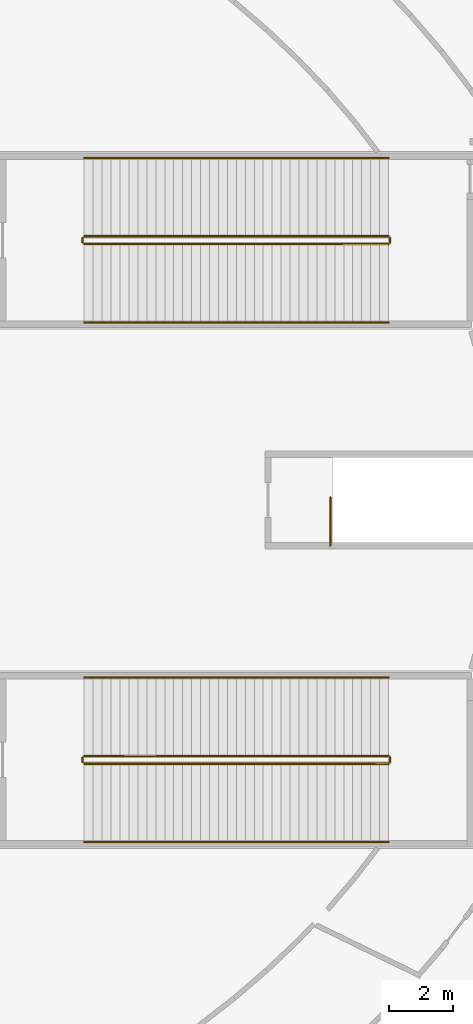
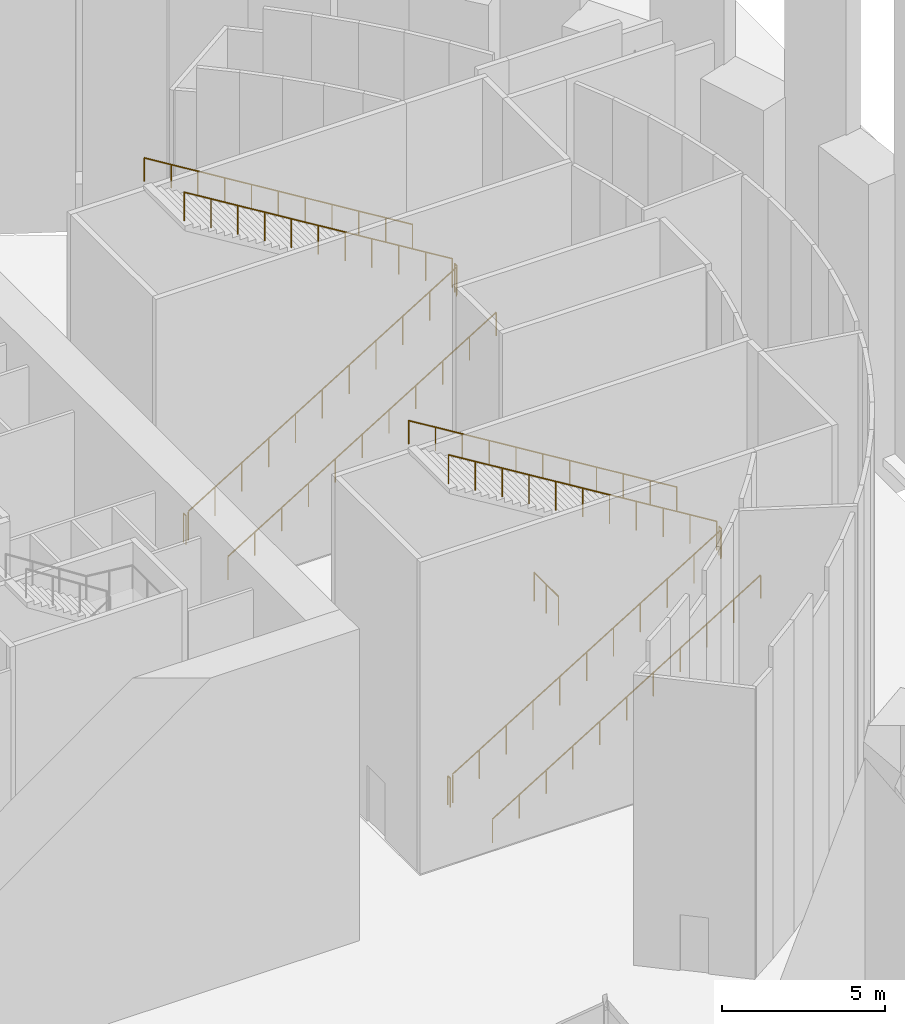
# One storey, part 23 of 25: 13 railings.
"""IFC4 building model written with IfcOpenShell, lengths in metres."""

from ifc_helpers import new_model, si_unit, direction, frame, origin, origin_2d, place, context, subcontext, project, spatial, circle, extrude, source, transform, mapped, material, type_object, element, save


model = new_model("IFC4")

# Units and contexts
model_context = context("Model", 3, precision=1e-05, world=origin(), true_north=direction((0.0, 1.0)))
body_context = subcontext(model_context, "Body", "Model", "MODEL_VIEW")
ifc_project = project(units=[si_unit("LENGTHUNIT", "METRE"), si_unit("AREAUNIT", "SQUARE_METRE"), si_unit("VOLUMEUNIT", "CUBIC_METRE"), si_unit("PLANEANGLEUNIT", "RADIAN"), si_unit("MASSUNIT", "GRAM", prefix="KILO")], contexts=[model_context])

# Site, building, storey
site_placement = place(None, origin())
site = spatial("IfcSite", under=ifc_project, at=site_placement, CompositionType="ELEMENT")
building_placement = place(site_placement, origin())
building = spatial("IfcBuilding", under=site, at=building_placement, Name="Embergate Tower", CompositionType="ELEMENT")
storey_placement = place(building_placement, origin())
storey = spatial("IfcBuildingStorey", under=building, at=storey_placement, Name="L00", CompositionType="ELEMENT", Elevation=0.0)

# Railings
ifc_material = material(Name="Steel", Category="steel")
railing_type_1 = type_object("IfcRailingType", Name="Podium stair guard 1100", PredefinedType="GUARDRAIL", material=ifc_material)
shared_shape_1 = source(origin(), body_context, "Body", "SweptSolid", [
    extrude(circle(Radius=0.02392578125, at=origin_2d()), frame((0.0, 0.0, 1.076171875), z_axis=(0.852850111455, 0.0, 0.522155807582), x_axis=(0.0, 1.0, 0.0)), (0.0, 0.0, 1.0), 11.16259765625),
    extrude(circle(Radius=0.02099609375, at=origin_2d()), origin(), (0.0, 0.0, 1.0), 1.052001953125),
    extrude(circle(Radius=0.02099609375, at=origin_2d()), frame((0.951904296875, 0.0, 0.582763671875)), (0.0, 0.0, 1.0), 1.052001953125),
    extrude(circle(Radius=0.02099609375, at=origin_2d()), frame((1.904052734375, 0.0, 1.165771484375)), (0.0, 0.0, 1.0), 1.052001953125),
    extrude(circle(Radius=0.02099609375, at=origin_2d()), frame((2.85595703125, 0.0, 1.74853515625)), (0.0, 0.0, 1.0), 1.052001953125),
    extrude(circle(Radius=0.02099609375, at=origin_2d()), frame((3.80810546875, 0.0, 2.33154296875)), (0.0, 0.0, 1.0), 1.052001953125),
    extrude(circle(Radius=0.02099609375, at=origin_2d()), frame((4.760009765625, 0.0, 2.914306640625)), (0.0, 0.0, 1.0), 1.052001953125),
    extrude(circle(Radius=0.02099609375, at=origin_2d()), frame((5.7119140625, 0.0, 3.4970703125)), (0.0, 0.0, 1.0), 1.052001953125),
    extrude(circle(Radius=0.02099609375, at=origin_2d()), frame((6.6640625, 0.0, 4.080078125)), (0.0, 0.0, 1.0), 1.052001953125),
    extrude(circle(Radius=0.02099609375, at=origin_2d()), frame((7.615966796875, 0.0, 4.662841796875)), (0.0, 0.0, 1.0), 1.052001953125),
    extrude(circle(Radius=0.02099609375, at=origin_2d()), frame((8.568115234375, 0.0, 5.245849609375)), (0.0, 0.0, 1.0), 1.052001953125),
    extrude(circle(Radius=0.02099609375, at=origin_2d()), frame((9.52001953125, 0.0, 5.82861328125)), (0.0, 0.0, 1.0), 1.052001953125),
])
for number, where, name in (
    (1, (20.050048828125, 8.0, 0.17138671875), "L00 P1 stair guard 1"),
    (2, (20.050048828125, -8.25, 0.17138671875), "L00 P2 stair guard 1"),
):
    element("IfcRailing", number, at=place(storey_placement, frame(where)), inside=storey, type_object=railing_type_1, Name=name, PredefinedType="GUARDRAIL", context=body_context, shape_type="MappedRepresentation", body=[
        mapped(shared_shape_1, transform((0.0, 0.0, 0.0))),
    ])
shared_shape_2 = source(origin(), body_context, "Body", "SweptSolid", [
    extrude(circle(Radius=0.02392578125, at=origin_2d()), frame((0.0, 0.0, 1.076171875), z_axis=(0.0, 1.0, 0.0), x_axis=(-1.0, 0.0, 0.0)), (0.0, 0.0, 1.0), 0.14990234375),
    extrude(circle(Radius=0.02099609375, at=origin_2d()), origin(), (0.0, 0.0, 1.0), 1.052001953125),
    extrude(circle(Radius=0.02099609375, at=origin_2d()), frame((0.0, 0.14990234375, 0.0)), (0.0, 0.0, 1.0), 1.052001953125),
])
for number, where, name in (
    (3, (29.6201171875, 8.050048828125, 6.0), "L00 P1 stair guard 2"),
    (4, (20.0, 8.050048828125, 0.0), "L00 P1 stair guard 4"),
    (5, (29.6201171875, -8.199951171875, 6.0), "L00 P2 stair guard 2"),
    (6, (20.0, -8.199951171875, 0.0), "L00 P2 stair guard 4"),
):
    element("IfcRailing", number, at=place(storey_placement, frame(where)), inside=storey, type_object=railing_type_1, Name=name, PredefinedType="GUARDRAIL", context=body_context, shape_type="MappedRepresentation", body=[
        mapped(shared_shape_2, transform((0.0, 0.0, 0.0))),
    ])
shared_shape_3 = source(origin(), body_context, "Body", "SweptSolid", [
    extrude(circle(Radius=0.02392578125, at=origin_2d()), frame((0.0, 0.0, 1.076171875), z_axis=(-0.852850111455, 0.0, 0.522155807582), x_axis=(0.0, -1.0, 0.0)), (0.0, 0.0, 1.0), 11.16259765625),
    extrude(circle(Radius=0.02099609375, at=origin_2d()), origin(), (0.0, 0.0, 1.0), 1.052001953125),
    extrude(circle(Radius=0.02099609375, at=origin_2d()), frame((-0.951904296875, 0.0, 0.582763671875)), (0.0, 0.0, 1.0), 1.052001953125),
    extrude(circle(Radius=0.02099609375, at=origin_2d()), frame((-1.904052734375, 0.0, 1.165771484375)), (0.0, 0.0, 1.0), 1.052001953125),
    extrude(circle(Radius=0.02099609375, at=origin_2d()), frame((-2.85595703125, 0.0, 1.74853515625)), (0.0, 0.0, 1.0), 1.052001953125),
    extrude(circle(Radius=0.02099609375, at=origin_2d()), frame((-3.80810546875, 0.0, 2.33154296875)), (0.0, 0.0, 1.0), 1.052001953125),
    extrude(circle(Radius=0.02099609375, at=origin_2d()), frame((-4.760009765625, 0.0, 2.914306640625)), (0.0, 0.0, 1.0), 1.052001953125),
    extrude(circle(Radius=0.02099609375, at=origin_2d()), frame((-5.7119140625, 0.0, 3.4970703125)), (0.0, 0.0, 1.0), 1.052001953125),
    extrude(circle(Radius=0.02099609375, at=origin_2d()), frame((-6.6640625, 0.0, 4.080078125)), (0.0, 0.0, 1.0), 1.052001953125),
    extrude(circle(Radius=0.02099609375, at=origin_2d()), frame((-7.615966796875, 0.0, 4.662841796875)), (0.0, 0.0, 1.0), 1.052001953125),
    extrude(circle(Radius=0.02099609375, at=origin_2d()), frame((-8.568115234375, 0.0, 5.245849609375)), (0.0, 0.0, 1.0), 1.052001953125),
    extrude(circle(Radius=0.02099609375, at=origin_2d()), frame((-9.52001953125, 0.0, 5.82861328125)), (0.0, 0.0, 1.0), 1.052001953125),
])
for number, where, name in (
    (7, (29.570068359375, 8.25, 6.17138671875), "L00 P1 stair guard 3"),
    (8, (29.570068359375, -8.0, 6.17138671875), "L00 P2 stair guard 3"),
):
    element("IfcRailing", number, at=place(storey_placement, frame(where)), inside=storey, type_object=railing_type_1, Name=name, PredefinedType="GUARDRAIL", context=body_context, shape_type="MappedRepresentation", body=[
        mapped(shared_shape_3, transform((0.0, 0.0, 0.0))),
    ])
railing_type_2 = type_object("IfcRailingType", Name="Podium stair handrail 900", PredefinedType="HANDRAIL", material=ifc_material)
shared_shape_4 = source(origin(), body_context, "Body", "SweptSolid", [
    extrude(circle(Radius=0.02392578125, at=origin_2d()), frame((0.0, 0.0, 0.8759765625), z_axis=(0.852850111455, 0.0, 0.522155807582), x_axis=(0.0, 1.0, 0.0)), (0.0, 0.0, 1.0), 11.16259765625),
    extrude(circle(Radius=0.02099609375, at=origin_2d()), origin(), (0.0, 0.0, 1.0), 0.851806640625),
    extrude(circle(Radius=0.02099609375, at=origin_2d()), frame((0.951904296875, 0.0, 0.582763671875)), (0.0, 0.0, 1.0), 0.851806640625),
    extrude(circle(Radius=0.02099609375, at=origin_2d()), frame((1.904052734375, 0.0, 1.165771484375)), (0.0, 0.0, 1.0), 0.851806640625),
    extrude(circle(Radius=0.02099609375, at=origin_2d()), frame((2.85595703125, 0.0, 1.74853515625)), (0.0, 0.0, 1.0), 0.851806640625),
    extrude(circle(Radius=0.02099609375, at=origin_2d()), frame((3.80810546875, 0.0, 2.33154296875)), (0.0, 0.0, 1.0), 0.851806640625),
    extrude(circle(Radius=0.02099609375, at=origin_2d()), frame((4.760009765625, 0.0, 2.914306640625)), (0.0, 0.0, 1.0), 0.851806640625),
    extrude(circle(Radius=0.02099609375, at=origin_2d()), frame((5.7119140625, 0.0, 3.4970703125)), (0.0, 0.0, 1.0), 0.851806640625),
    extrude(circle(Radius=0.02099609375, at=origin_2d()), frame((6.6640625, 0.0, 4.080078125)), (0.0, 0.0, 1.0), 0.851806640625),
    extrude(circle(Radius=0.02099609375, at=origin_2d()), frame((7.615966796875, 0.0, 4.662841796875)), (0.0, 0.0, 1.0), 0.851806640625),
    extrude(circle(Radius=0.02099609375, at=origin_2d()), frame((8.568115234375, 0.0, 5.245849609375)), (0.0, 0.0, 1.0), 0.851806640625),
    extrude(circle(Radius=0.02099609375, at=origin_2d()), frame((9.52001953125, 0.0, 5.82861328125)), (0.0, 0.0, 1.0), 0.851806640625),
])
for number, where, name in (
    (9, (20.050048828125, 5.550048828125, 0.17138671875), "L00 P1 stair handrail 1"),
    (10, (20.050048828125, -10.699951171875, 0.17138671875), "L00 P2 stair handrail 1"),
):
    element("IfcRailing", number, at=place(storey_placement, frame(where)), inside=storey, type_object=railing_type_2, Name=name, PredefinedType="HANDRAIL", context=body_context, shape_type="MappedRepresentation", body=[
        mapped(shared_shape_4, transform((0.0, 0.0, 0.0))),
    ])
shared_shape_5 = source(origin(), body_context, "Body", "SweptSolid", [
    extrude(circle(Radius=0.02392578125, at=origin_2d()), frame((0.0, 0.0, 0.8759765625), z_axis=(-0.852850111455, 0.0, 0.522155807582), x_axis=(0.0, -1.0, 0.0)), (0.0, 0.0, 1.0), 11.16259765625),
    extrude(circle(Radius=0.02099609375, at=origin_2d()), origin(), (0.0, 0.0, 1.0), 0.851806640625),
    extrude(circle(Radius=0.02099609375, at=origin_2d()), frame((-0.951904296875, 0.0, 0.582763671875)), (0.0, 0.0, 1.0), 0.851806640625),
    extrude(circle(Radius=0.02099609375, at=origin_2d()), frame((-1.904052734375, 0.0, 1.165771484375)), (0.0, 0.0, 1.0), 0.851806640625),
    extrude(circle(Radius=0.02099609375, at=origin_2d()), frame((-2.85595703125, 0.0, 1.74853515625)), (0.0, 0.0, 1.0), 0.851806640625),
    extrude(circle(Radius=0.02099609375, at=origin_2d()), frame((-3.80810546875, 0.0, 2.33154296875)), (0.0, 0.0, 1.0), 0.851806640625),
    extrude(circle(Radius=0.02099609375, at=origin_2d()), frame((-4.760009765625, 0.0, 2.914306640625)), (0.0, 0.0, 1.0), 0.851806640625),
    extrude(circle(Radius=0.02099609375, at=origin_2d()), frame((-5.7119140625, 0.0, 3.4970703125)), (0.0, 0.0, 1.0), 0.851806640625),
    extrude(circle(Radius=0.02099609375, at=origin_2d()), frame((-6.6640625, 0.0, 4.080078125)), (0.0, 0.0, 1.0), 0.851806640625),
    extrude(circle(Radius=0.02099609375, at=origin_2d()), frame((-7.615966796875, 0.0, 4.662841796875)), (0.0, 0.0, 1.0), 0.851806640625),
    extrude(circle(Radius=0.02099609375, at=origin_2d()), frame((-8.568115234375, 0.0, 5.245849609375)), (0.0, 0.0, 1.0), 0.851806640625),
    extrude(circle(Radius=0.02099609375, at=origin_2d()), frame((-9.52001953125, 0.0, 5.82861328125)), (0.0, 0.0, 1.0), 0.851806640625),
])
for number, where, name in (
    (11, (29.570068359375, 10.699951171875, 6.17138671875), "L00 P1 stair handrail 2"),
    (12, (29.570068359375, -5.550048828125, 6.17138671875), "L00 P2 stair handrail 2"),
):
    element("IfcRailing", number, at=place(storey_placement, frame(where)), inside=storey, type_object=railing_type_2, Name=name, PredefinedType="HANDRAIL", context=body_context, shape_type="MappedRepresentation", body=[
        mapped(shared_shape_5, transform((0.0, 0.0, 0.0))),
    ])
railing_type_3 = type_object("IfcRailingType", Name="Exit stair guard 1100", PredefinedType="GUARDRAIL", material=ifc_material)
shared_shape_6 = source(origin(), body_context, "Body", "SweptSolid", [
    extrude(circle(Radius=0.02392578125, at=origin_2d()), frame((0.0, 0.0, 1.076171875), z_axis=(0.0, 1.0, 0.0), x_axis=(-1.0, 0.0, 0.0)), (0.0, 0.0, 1.0), 1.5),
    extrude(circle(Radius=0.02099609375, at=origin_2d()), origin(), (0.0, 0.0, 1.0), 1.052001953125),
    extrude(circle(Radius=0.02099609375, at=origin_2d()), frame((0.0, 0.75, 0.0)), (0.0, 0.0, 1.0), 1.052001953125),
    extrude(circle(Radius=0.02099609375, at=origin_2d()), frame((0.0, 1.5, 0.0)), (0.0, 0.0, 1.0), 1.052001953125),
])
railing_placement = place(storey_placement, frame((27.75, -1.425048828125, 0.0)))
element("IfcRailing", 13, at=railing_placement, inside=storey, type_object=railing_type_3, Name="L00 XE1 top well guard 1", PredefinedType="GUARDRAIL", context=body_context, shape_type="MappedRepresentation", body=[
    mapped(shared_shape_6, transform((0.0, 0.0, 0.0))),
])

save(model, "model.ifc")
